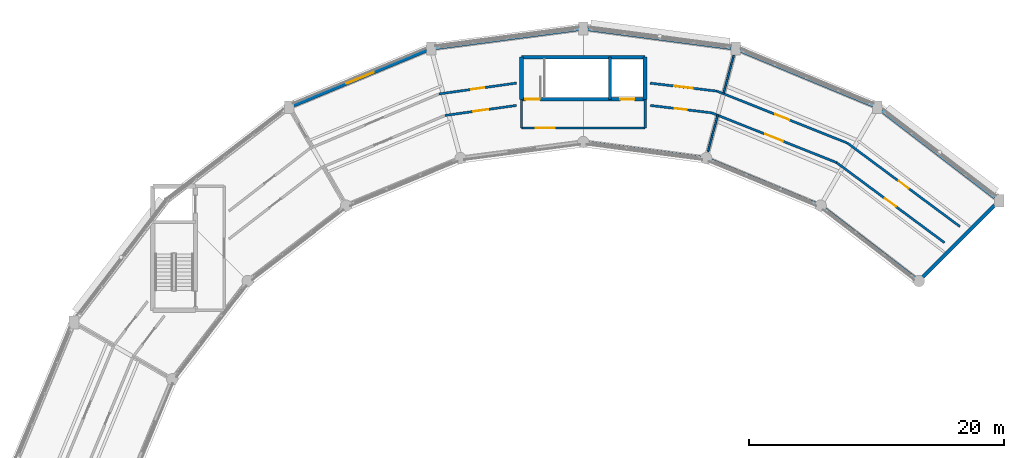
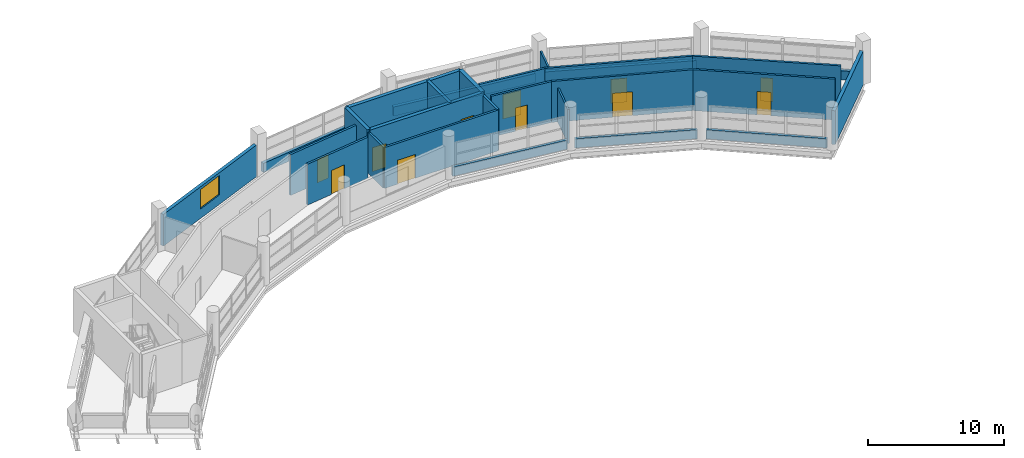
# One storey, part 47 of 53: 27 walls, 11 doors, 1 window, 12 openings.
"""IFC4 building model written with IfcOpenShell, lengths in metres."""

from ifc_helpers import new_model, si_unit, direction, frame, frame_2d, origin, place, context, subcontext, project, spatial, rectangle, extrude, material, layer, layer_set, type_object, element, fill, save


model = new_model("IFC4")

# Units and contexts
model_context = context("Model", 3, precision=1e-05, world=origin(), true_north=direction((0.0, 1.0)))
body_context = subcontext(model_context, "Body", "Model", "MODEL_VIEW")
ifc_project = project(units=[si_unit("LENGTHUNIT", "METRE"), si_unit("AREAUNIT", "SQUARE_METRE"), si_unit("VOLUMEUNIT", "CUBIC_METRE"), si_unit("PLANEANGLEUNIT", "RADIAN"), si_unit("MASSUNIT", "GRAM", prefix="KILO")], contexts=[model_context])

# Site, building, storey
site_placement = place(None, origin())
site = spatial("IfcSite", under=ifc_project, at=site_placement, CompositionType="ELEMENT")
building_placement = place(site_placement, origin())
building = spatial("IfcBuilding", under=site, at=building_placement, Name="Vespera Passage Community Centre", CompositionType="ELEMENT")
storey_placement = place(building_placement, frame((0.0, 0.0, 20.39990234375)))
storey = spatial("IfcBuildingStorey", under=building, at=storey_placement, Name="L05", CompositionType="ELEMENT", Elevation=20.39990234375)

# Wall, openings, doors
ifc_material_1 = material(Name="Concrete f'c 45 MPa", Category="concrete")
ifc_layer_1 = layer(ifc_material_1, 0.300048828125)
ifc_layer_set_1 = layer_set([ifc_layer_1], Name="Concrete f'c 45 MPa")
wall_type_1 = type_object("IfcWallType", Name="WT-CORE-300I", PredefinedType="SHEAR", material=ifc_layer_set_1)
wall_1_placement = place(storey_placement, frame((82.844970703125, 106.050048828125, 0.0), z_axis=(0.0, 0.0, 1.0), x_axis=(-1.0, 0.0, 0.0)))
wall_1 = element("IfcWall", 1, at=wall_1_placement, inside=storey, type_object=wall_type_1, Name="Core C4 L05 Shear Wall FRONT", PredefinedType="SHEAR", context=body_context, shape_type="SweptSolid", body=[
    extrude(rectangle(XDim=9.68994140625, YDim=0.300048828125, at=frame_2d((4.844970703125, 0.0))), origin(), (0.0, 0.0, 1.0), 3.900146484375),
])
opening_1_placement = place(wall_1_placement, frame((8.2451171875, 0.0, 0.0)))
opening_1 = element("IfcOpeningElement", 2, at=opening_1_placement, cuts=wall_1, Name="Opening DT-STAIR-90", PredefinedType="OPENING", context=body_context, shape_type="SweptSolid", body=[
    extrude(rectangle(XDim=1.14990234375, YDim=2.14990234375, at=frame_2d((0.574951171875, 1.074951171875))), frame((0.0, 0.159912109375, 0.0), z_axis=(0.0, -1.0, 0.0), x_axis=(1.0, 0.0, 0.0)), (0.0, 0.0, 1.0), 0.320068359375),
])
opening_2_placement = place(wall_1_placement, frame((0.85009765625, 0.0, 0.0)))
opening_2 = element("IfcOpeningElement", 3, at=opening_2_placement, cuts=wall_1, Name="Opening DT-LIFT-110", PredefinedType="OPENING", context=body_context, shape_type="SweptSolid", body=[
    extrude(rectangle(XDim=1.10009765625, YDim=2.14990234375, at=frame_2d((0.550048828125, 1.074951171875))), frame((0.0, 0.159912109375, 0.0), z_axis=(0.0, -1.0, 0.0), x_axis=(1.0, 0.0, 0.0)), (0.0, 0.0, 1.0), 0.320068359375),
])
ifc_material_2 = material(Name="Painted hollow-metal acoustic door", Category="steel")
door_type_1 = type_object("IfcDoorType", Name="DT-LIFT-110", OperationType="NOTDEFINED", PredefinedType="DOOR", material=ifc_material_2)
door_1_placement = place(opening_2_placement, origin())
door_1 = element("IfcDoor", 4, at=door_1_placement, inside=storey, type_object=door_type_1, Name="Elevator EL-02 L05 Landing Door LD-022", OperationType="SLIDING_TO_LEFT", OverallHeight=2.14990234375, OverallWidth=1.10009765625, PredefinedType="DOOR", context=body_context, shape_type="SweptSolid", body=[
    extrude(rectangle(XDim=1.10009765625, YDim=2.14990234375, at=frame_2d((0.550048828125, 1.074951171875))), frame((0.0, 0.02490234375, 0.0), z_axis=(0.0, -1.0, 0.0), x_axis=(1.0, 0.0, 0.0)), (0.0, 0.0, 1.0), 0.050048828125),
])
fill(opening_2, door_1)
ifc_material_3 = material(Name="Painted hollow-metal acoustic door", Category="steel")
door_type_2 = type_object("IfcDoorType", Name="DT-STAIR-90", OperationType="NOTDEFINED", PredefinedType="DOOR", material=ifc_material_3)
door_2_placement = place(opening_1_placement, origin())
door_2 = element("IfcDoor", 5, at=door_2_placement, inside=storey, type_object=door_type_2, Name="Core C4 L05 Exit Stair Door D-098", OperationType="SINGLE_SWING_RIGHT", OverallHeight=2.14990234375, OverallWidth=1.14990234375, PredefinedType="DOOR", context=body_context, shape_type="SweptSolid", body=[
    extrude(rectangle(XDim=1.14990234375, YDim=2.14990234375, at=frame_2d((0.574951171875, 1.074951171875))), frame((0.0, 0.02490234375, 0.0), z_axis=(0.0, -1.0, 0.0), x_axis=(1.0, 0.0, 0.0)), (0.0, 0.0, 1.0), 0.050048828125),
])
fill(opening_1, door_2)

# Walls
wall_2_placement = place(storey_placement, frame((73.155029296875, 106.050048828125, 0.0), z_axis=(0.0, 0.0, 1.0), x_axis=(0.0, 1.0, 0.0)))
element("IfcWall", 6, at=wall_2_placement, inside=storey, type_object=wall_type_1, Name="Core C4 L05 Shear Wall LEFT", PredefinedType="SHEAR", context=body_context, shape_type="SweptSolid", body=[
    extrude(rectangle(XDim=3.300048828125, YDim=0.300048828125, at=frame_2d((1.64990234375, 0.0))), origin(), (0.0, 0.0, 1.0), 3.900146484375),
])
wall_3_placement = place(storey_placement, frame((73.155029296875, 109.35009765625, 0.0), z_axis=(0.0, 0.0, 1.0), x_axis=(1.0, 0.0, 0.0)))
element("IfcWall", 7, at=wall_3_placement, inside=storey, type_object=wall_type_1, Name="Core C4 L05 Shear Wall BACK", PredefinedType="SHEAR", context=body_context, shape_type="SweptSolid", body=[
    extrude(rectangle(XDim=9.68994140625, YDim=0.300048828125, at=frame_2d((4.844970703125, 0.0))), origin(), (0.0, 0.0, 1.0), 3.900146484375),
])
wall_4_placement = place(storey_placement, frame((82.844970703125, 109.35009765625, 0.0), z_axis=(0.0, 0.0, 1.0), x_axis=(0.0, -1.0, 0.0)))
element("IfcWall", 8, at=wall_4_placement, inside=storey, type_object=wall_type_1, Name="Core C4 L05 Shear Wall RIGHT", PredefinedType="SHEAR", context=body_context, shape_type="SweptSolid", body=[
    extrude(rectangle(XDim=3.300048828125, YDim=0.300048828125, at=frame_2d((1.64990234375, 0.0))), origin(), (0.0, 0.0, 1.0), 3.900146484375),
])

# Wall, opening, door
ifc_material_4 = material(Name="Gypsum board acoustic stud partition")
ifc_layer_2 = layer(ifc_material_4, 0.179931640625)
ifc_layer_set_2 = layer_set([ifc_layer_2], Name="Gypsum board acoustic stud partition")
wall_type_2 = type_object("IfcWallType", Name="WT-CORR-180I", PredefinedType="PARTITIONING", material=ifc_layer_set_2)
wall_5_placement = place(storey_placement, frame((73.155029296875, 103.800048828125, 0.0), z_axis=(0.0, 0.0, 1.0), x_axis=(1.0, 0.0, 0.0)))
wall_5 = element("IfcWall", 9, at=wall_5_placement, inside=storey, type_object=wall_type_2, Name="Core C4 L05 Lift Lobby Front Wall", PredefinedType="PARTITIONING", context=body_context, shape_type="SweptSolid", body=[
    extrude(rectangle(XDim=9.68994140625, YDim=0.179931640625, at=frame_2d((4.844970703125, 0.0))), origin(), (0.0, 0.0, 1.0), 3.675048828125),
])
opening_3_placement = place(wall_5_placement, frame((1.10009765625, 0.0, 0.0)))
opening_3 = element("IfcOpeningElement", 10, at=opening_3_placement, cuts=wall_5, Name="Opening DT-CORR-150", PredefinedType="OPENING", context=body_context, shape_type="SweptSolid", body=[
    extrude(rectangle(XDim=1.5, YDim=2.14990234375, at=frame_2d((0.75, 1.074951171875))), frame((0.0, 0.099853515625, 0.0), z_axis=(0.0, -1.0, 0.0), x_axis=(1.0, 0.0, 0.0)), (0.0, 0.0, 1.0), 0.199951171875),
])
ifc_material_5 = material(Name="Painted hollow-metal acoustic door", Category="steel")
door_type_3 = type_object("IfcDoorType", Name="DT-CORR-150", OperationType="NOTDEFINED", PredefinedType="DOOR", material=ifc_material_5)
door_3_placement = place(opening_3_placement, origin())
door_3 = element("IfcDoor", 11, at=door_3_placement, inside=storey, type_object=door_type_3, Name="Core C4 L05 Lift Lobby Door D-099", OperationType="SINGLE_SWING_LEFT", OverallHeight=2.14990234375, OverallWidth=1.5, PredefinedType="DOOR", context=body_context, shape_type="SweptSolid", body=[
    extrude(rectangle(XDim=1.5, YDim=2.14990234375, at=frame_2d((0.75, 1.074951171875))), frame((0.0, 0.02490234375, 0.0), z_axis=(0.0, -1.0, 0.0), x_axis=(1.0, 0.0, 0.0)), (0.0, 0.0, 1.0), 0.050048828125),
])
fill(opening_3, door_3)

# Walls
for number, where, z_axis, x_axis, name in (
    (12, (73.155029296875, 106.050048828125, 0.0), (0.0, 0.0, 1.0), (0.0, -1.0, 0.0), "Core C4 L05 Lift Lobby Side Wall L"),
    (13, (82.844970703125, 106.050048828125, 0.0), (0.0, 0.0, 1.0), (0.0, -1.0, 0.0), "Core C4 L05 Lift Lobby Side Wall R"),
):
    element("IfcWall", number, at=place(storey_placement, frame(where, z_axis=z_axis, x_axis=x_axis)), inside=storey, type_object=wall_type_2, Name=name, PredefinedType="PARTITIONING", context=body_context, shape_type="SweptSolid", body=[
        extrude(rectangle(XDim=2.25, YDim=0.179931640625, at=frame_2d((1.125, 0.0))), origin(), (0.0, 0.0, 1.0), 3.675048828125),
    ])

# Wall, opening, door
wall_6_placement = place(storey_placement, frame((107.52294921875, 96.072021484375, 0.0), z_axis=(0.0, 0.0, 1.0), x_axis=(-0.803116202906, 0.595822427096, 0.0)))
wall_6 = element("IfcWall", 14, at=wall_6_placement, inside=storey, type_object=wall_type_2, Name="L05 Interior Partition V4-L05-CO01.1", PredefinedType="PARTITIONING", context=body_context, shape_type="SweptSolid", body=[
    extrude(rectangle(XDim=10.989501953125, YDim=0.179931640625, at=frame_2d((5.49462890625, 0.0))), origin(), (0.0, 0.0, 1.0), 3.675048828125),
])
opening_4_placement = place(wall_6_placement, frame((5.019775390625, 0.0, 0.0)))
opening_4 = element("IfcOpeningElement", 15, at=opening_4_placement, cuts=wall_6, Name="Opening DT-CORR-95", PredefinedType="OPENING", context=body_context, shape_type="SweptSolid", body=[
    extrude(rectangle(XDim=0.949951171875, YDim=2.10009765625, at=frame_2d((0.47509765625, 1.050048828125))), frame((0.0, 0.099853515625, 0.0), z_axis=(0.0, -1.0, 0.0), x_axis=(1.0, 0.0, 0.0)), (0.0, 0.0, 1.0), 0.199951171875),
])
ifc_material_6 = material(Name="Painted hollow-metal acoustic door", Category="steel")
door_type_4 = type_object("IfcDoorType", Name="DT-CORR-95", OperationType="NOTDEFINED", PredefinedType="DOOR", material=ifc_material_6)
door_4_placement = place(opening_4_placement, origin())
door_4 = element("IfcDoor", 16, at=door_4_placement, inside=storey, type_object=door_type_4, Name="L05 Interior Door D-297", OperationType="SINGLE_SWING_LEFT", OverallHeight=2.10009765625, OverallWidth=0.949951171875, PredefinedType="DOOR", context=body_context, shape_type="SweptSolid", body=[
    extrude(rectangle(XDim=0.949951171875, YDim=2.10009765625, at=frame_2d((0.47509765625, 1.050048828125))), frame((0.0, 0.02490234375, 0.0), z_axis=(0.0, -1.0, 0.0), x_axis=(1.0, 0.0, 0.0)), (0.0, 0.0, 1.0), 0.050048828125),
])
fill(opening_4, door_4)

wall_7_placement = place(storey_placement, frame((106.307373046875, 94.81298828125, 0.0), z_axis=(0.0, 0.0, 1.0), x_axis=(-0.803116983103, 0.595821375457, 0.0)))
wall_7 = element("IfcWall", 17, at=wall_7_placement, inside=storey, type_object=wall_type_2, Name="L05 Interior Partition V4-L05-CI01.1", PredefinedType="PARTITIONING", context=body_context, shape_type="SweptSolid", body=[
    extrude(rectangle(XDim=10.537353515625, YDim=0.179931640625, at=frame_2d((5.2685546875, 0.0))), origin(), (0.0, 0.0, 1.0), 3.675048828125),
])
opening_5_placement = place(wall_7_placement, frame((4.74365234375, 0.0, 0.0)))
opening_5 = element("IfcOpeningElement", 18, at=opening_5_placement, cuts=wall_7, Name="Opening DT-CORR-105", PredefinedType="OPENING", context=body_context, shape_type="SweptSolid", body=[
    extrude(rectangle(XDim=1.050048828125, YDim=2.10009765625, at=frame_2d((0.52490234375, 1.050048828125))), frame((0.0, 0.099853515625, 0.0), z_axis=(0.0, -1.0, 0.0), x_axis=(1.0, 0.0, 0.0)), (0.0, 0.0, 1.0), 0.199951171875),
])
ifc_material_7 = material(Name="Painted hollow-metal acoustic door", Category="steel")
door_type_5 = type_object("IfcDoorType", Name="DT-CORR-105", OperationType="NOTDEFINED", PredefinedType="DOOR", material=ifc_material_7)
door_5_placement = place(opening_5_placement, origin())
door_5 = element("IfcDoor", 19, at=door_5_placement, inside=storey, type_object=door_type_5, Name="L05 Interior Door D-298", OperationType="SINGLE_SWING_RIGHT", OverallHeight=2.10009765625, OverallWidth=1.050048828125, PredefinedType="DOOR", context=body_context, shape_type="SweptSolid", body=[
    extrude(rectangle(XDim=1.050048828125, YDim=2.10009765625, at=frame_2d((0.52490234375, 1.050048828125))), frame((0.0, 0.02490234375, 0.0), z_axis=(0.0, -1.0, 0.0), x_axis=(1.0, 0.0, 0.0)), (0.0, 0.0, 1.0), 0.050048828125),
])
fill(opening_5, door_5)

wall_8_placement = place(storey_placement, frame((98.697021484375, 102.619873046875, 0.0), z_axis=(0.0, 0.0, 1.0), x_axis=(-0.929039440746, 0.369980698873, 0.0)))
wall_8 = element("IfcWall", 20, at=wall_8_placement, inside=storey, type_object=wall_type_2, Name="L05 Interior Partition V4-L05-CO02.1", PredefinedType="PARTITIONING", context=body_context, shape_type="SweptSolid", body=[
    extrude(rectangle(XDim=10.989501953125, YDim=0.179931640625, at=frame_2d((5.49462890625, 0.0))), origin(), (0.0, 0.0, 1.0), 3.675048828125),
])
opening_6_placement = place(wall_8_placement, frame((4.894775390625, 0.0, 0.0)))
opening_6 = element("IfcOpeningElement", 21, at=opening_6_placement, cuts=wall_8, Name="Opening DT-CORR-120", PredefinedType="OPENING", context=body_context, shape_type="SweptSolid", body=[
    extrude(rectangle(XDim=1.199951171875, YDim=2.14990234375, at=frame_2d((0.60009765625, 1.074951171875))), frame((0.0, 0.099853515625, 0.0), z_axis=(0.0, -1.0, 0.0), x_axis=(1.0, 0.0, 0.0)), (0.0, 0.0, 1.0), 0.199951171875),
])
ifc_material_8 = material(Name="Painted hollow-metal acoustic door", Category="steel")
door_type_6 = type_object("IfcDoorType", Name="DT-CORR-120", OperationType="NOTDEFINED", PredefinedType="DOOR", material=ifc_material_8)
door_6_placement = place(opening_6_placement, origin())
door_6 = element("IfcDoor", 22, at=door_6_placement, inside=storey, type_object=door_type_6, Name="L05 Interior Door D-299", OperationType="SINGLE_SWING_LEFT", OverallHeight=2.14990234375, OverallWidth=1.199951171875, PredefinedType="DOOR", context=body_context, shape_type="SweptSolid", body=[
    extrude(rectangle(XDim=1.199951171875, YDim=2.14990234375, at=frame_2d((0.60009765625, 1.074951171875))), frame((0.0, 0.02490234375, 0.0), z_axis=(0.0, -1.0, 0.0), x_axis=(1.0, 0.0, 0.0)), (0.0, 0.0, 1.0), 0.050048828125),
])
fill(opening_6, door_6)

wall_9_placement = place(storey_placement, frame((97.8447265625, 101.09130859375, 0.0), z_axis=(0.0, 0.0, 1.0), x_axis=(-0.929033313581, 0.36999608411, 0.0)))
wall_9 = element("IfcWall", 23, at=wall_9_placement, inside=storey, type_object=wall_type_2, Name="L05 Interior Partition V4-L05-CI02.1", PredefinedType="PARTITIONING", context=body_context, shape_type="SweptSolid", body=[
    extrude(rectangle(XDim=10.537109375, YDim=0.179931640625, at=frame_2d((5.2685546875, 0.0))), origin(), (0.0, 0.0, 1.0), 3.675048828125),
])
opening_7_placement = place(wall_9_placement, frame((4.5185546875, 0.0, 0.0)))
opening_7 = element("IfcOpeningElement", 24, at=opening_7_placement, cuts=wall_9, Name="Opening DT-CORR-150", PredefinedType="OPENING", context=body_context, shape_type="SweptSolid", body=[
    extrude(rectangle(XDim=1.5, YDim=2.14990234375, at=frame_2d((0.75, 1.074951171875))), frame((0.0, 0.099853515625, 0.0), z_axis=(0.0, -1.0, 0.0), x_axis=(1.0, 0.0, 0.0)), (0.0, 0.0, 1.0), 0.199951171875),
])
door_7_placement = place(opening_7_placement, origin())
door_7 = element("IfcDoor", 25, at=door_7_placement, inside=storey, type_object=door_type_3, Name="L05 Interior Door D-300", OperationType="SINGLE_SWING_RIGHT", OverallHeight=2.14990234375, OverallWidth=1.5, PredefinedType="DOOR", context=body_context, shape_type="SweptSolid", body=[
    extrude(rectangle(XDim=1.5, YDim=2.14990234375, at=frame_2d((0.75, 1.074951171875))), frame((0.0, 0.02490234375, 0.0), z_axis=(0.0, -1.0, 0.0), x_axis=(1.0, 0.0, 0.0)), (0.0, 0.0, 1.0), 0.050048828125),
])
fill(opening_7, door_7)

wall_10_placement = place(storey_placement, frame((88.4873046875, 106.685791015625, 0.0), z_axis=(0.0, 0.0, 1.0), x_axis=(-0.992847489582, 0.119389540709, 0.0)))
wall_10 = element("IfcWall", 26, at=wall_10_placement, inside=storey, type_object=wall_type_2, Name="L05 Interior Partition V4-L05-CO03.1", PredefinedType="PARTITIONING", context=body_context, shape_type="SweptSolid", body=[
    extrude(rectangle(XDim=5.280029296875, YDim=0.179931640625, at=frame_2d((2.64013671875, 0.0))), origin(), (0.0, 0.0, 1.0), 3.675048828125),
])
opening_8_placement = place(wall_10_placement, frame((1.9150390625, 0.0, 0.0)))
opening_8 = element("IfcOpeningElement", 27, at=opening_8_placement, cuts=wall_10, Name="Opening DT-PLANT-145", PredefinedType="OPENING", context=body_context, shape_type="SweptSolid", body=[
    extrude(rectangle(XDim=1.449951171875, YDim=2.199951171875, at=frame_2d((0.72509765625, 1.10009765625))), frame((0.0, 0.099853515625, 0.0), z_axis=(0.0, -1.0, 0.0), x_axis=(1.0, 0.0, 0.0)), (0.0, 0.0, 1.0), 0.199951171875),
])
ifc_material_9 = material(Name="Painted hollow-metal acoustic door", Category="steel")
door_type_7 = type_object("IfcDoorType", Name="DT-PLANT-145", OperationType="NOTDEFINED", PredefinedType="DOOR", material=ifc_material_9)
door_8_placement = place(opening_8_placement, origin())
door_8 = element("IfcDoor", 28, at=door_8_placement, inside=storey, type_object=door_type_7, Name="L05 Interior Door D-301", OperationType="SINGLE_SWING_LEFT", OverallHeight=2.199951171875, OverallWidth=1.449951171875, PredefinedType="DOOR", context=body_context, shape_type="SweptSolid", body=[
    extrude(rectangle(XDim=1.449951171875, YDim=2.199951171875, at=frame_2d((0.72509765625, 1.10009765625))), frame((0.0, 0.02490234375, 0.0), z_axis=(0.0, -1.0, 0.0), x_axis=(1.0, 0.0, 0.0)), (0.0, 0.0, 1.0), 0.050048828125),
])
fill(opening_8, door_8)

wall_11_placement = place(storey_placement, frame((88.055419921875, 104.989990234375, 0.0), z_axis=(0.0, 0.0, 1.0), x_axis=(-0.992849152451, 0.119375711422, 0.0)))
wall_11 = element("IfcWall", 29, at=wall_11_placement, inside=storey, type_object=wall_type_2, Name="L05 Interior Partition V4-L05-CI03.1", PredefinedType="PARTITIONING", context=body_context, shape_type="SweptSolid", body=[
    extrude(rectangle(XDim=4.844970703125, YDim=0.179931640625, at=frame_2d((2.42236328125, 0.0))), origin(), (0.0, 0.0, 1.0), 3.675048828125),
])
opening_9_placement = place(wall_11_placement, frame((1.947509765625, 0.0, 0.0)))
opening_9 = element("IfcOpeningElement", 30, at=opening_9_placement, cuts=wall_11, Name="Opening DT-CORR-95", PredefinedType="OPENING", context=body_context, shape_type="SweptSolid", body=[
    extrude(rectangle(XDim=0.949951171875, YDim=2.10009765625, at=frame_2d((0.47509765625, 1.050048828125))), frame((0.0, 0.099853515625, 0.0), z_axis=(0.0, -1.0, 0.0), x_axis=(1.0, 0.0, 0.0)), (0.0, 0.0, 1.0), 0.199951171875),
])
door_9_placement = place(opening_9_placement, origin())
door_9 = element("IfcDoor", 31, at=door_9_placement, inside=storey, type_object=door_type_4, Name="L05 Interior Door D-302", OperationType="SINGLE_SWING_RIGHT", OverallHeight=2.10009765625, OverallWidth=0.949951171875, PredefinedType="DOOR", context=body_context, shape_type="SweptSolid", body=[
    extrude(rectangle(XDim=0.949951171875, YDim=2.10009765625, at=frame_2d((0.47509765625, 1.050048828125))), frame((0.0, 0.02490234375, 0.0), z_axis=(0.0, -1.0, 0.0), x_axis=(1.0, 0.0, 0.0)), (0.0, 0.0, 1.0), 0.050048828125),
])
fill(opening_9, door_9)

wall_12_placement = place(storey_placement, frame((72.7548828125, 107.3203125, 0.0), z_axis=(0.0, 0.0, 1.0), x_axis=(-0.990269980721, -0.139159495841, 0.0)))
wall_12 = element("IfcWall", 32, at=wall_12_placement, inside=storey, type_object=wall_type_2, Name="L05 Interior Partition V4-L05-CO04.1", PredefinedType="PARTITIONING", context=body_context, shape_type="SweptSolid", body=[
    extrude(rectangle(XDim=6.12109375, YDim=0.179931640625, at=frame_2d((3.060546875, 0.0))), origin(), (0.0, 0.0, 1.0), 3.675048828125),
])
opening_10_placement = place(wall_12_placement, frame((2.53564453125, 0.0, 0.0)))
opening_10 = element("IfcOpeningElement", 33, at=opening_10_placement, cuts=wall_12, Name="Opening DT-CORR-105", PredefinedType="OPENING", context=body_context, shape_type="SweptSolid", body=[
    extrude(rectangle(XDim=1.050048828125, YDim=2.10009765625, at=frame_2d((0.52490234375, 1.050048828125))), frame((0.0, 0.099853515625, 0.0), z_axis=(0.0, -1.0, 0.0), x_axis=(1.0, 0.0, 0.0)), (0.0, 0.0, 1.0), 0.199951171875),
])
door_10_placement = place(opening_10_placement, origin())
door_10 = element("IfcDoor", 34, at=door_10_placement, inside=storey, type_object=door_type_5, Name="L05 Interior Door D-303", OperationType="SINGLE_SWING_LEFT", OverallHeight=2.10009765625, OverallWidth=1.050048828125, PredefinedType="DOOR", context=body_context, shape_type="SweptSolid", body=[
    extrude(rectangle(XDim=1.050048828125, YDim=2.10009765625, at=frame_2d((0.52490234375, 1.050048828125))), frame((0.0, 0.02490234375, 0.0), z_axis=(0.0, -1.0, 0.0), x_axis=(1.0, 0.0, 0.0)), (0.0, 0.0, 1.0), 0.050048828125),
])
fill(opening_10, door_10)

wall_13_placement = place(storey_placement, frame((72.7548828125, 105.568115234375, 0.0), z_axis=(0.0, 0.0, 1.0), x_axis=(-0.990264117546, -0.139201212283, 0.0)))
wall_13 = element("IfcWall", 35, at=wall_13_placement, inside=storey, type_object=wall_type_2, Name="L05 Interior Partition V4-L05-CI04.1", PredefinedType="PARTITIONING", context=body_context, shape_type="SweptSolid", body=[
    extrude(rectangle(XDim=5.65087890625, YDim=0.179931640625, at=frame_2d((2.825439453125, 0.0))), origin(), (0.0, 0.0, 1.0), 3.675048828125),
])
opening_11_placement = place(wall_13_placement, frame((2.2255859375, 0.0, 0.0)))
opening_11 = element("IfcOpeningElement", 36, at=opening_11_placement, cuts=wall_13, Name="Opening DT-CORR-120", PredefinedType="OPENING", context=body_context, shape_type="SweptSolid", body=[
    extrude(rectangle(XDim=1.199951171875, YDim=2.14990234375, at=frame_2d((0.60009765625, 1.074951171875))), frame((0.0, 0.099853515625, 0.0), z_axis=(0.0, -1.0, 0.0), x_axis=(1.0, 0.0, 0.0)), (0.0, 0.0, 1.0), 0.199951171875),
])
door_11_placement = place(opening_11_placement, origin())
door_11 = element("IfcDoor", 37, at=door_11_placement, inside=storey, type_object=door_type_6, Name="L05 Interior Door D-304", OperationType="SINGLE_SWING_RIGHT", OverallHeight=2.14990234375, OverallWidth=1.199951171875, PredefinedType="DOOR", context=body_context, shape_type="SweptSolid", body=[
    extrude(rectangle(XDim=1.199951171875, YDim=2.14990234375, at=frame_2d((0.60009765625, 1.074951171875))), frame((0.0, 0.02490234375, 0.0), z_axis=(0.0, -1.0, 0.0), x_axis=(1.0, 0.0, 0.0)), (0.0, 0.0, 1.0), 0.050048828125),
])
fill(opening_11, door_11)

# Walls
ifc_material_10 = material(Name="Concrete f'c 45 MPa", Category="concrete")
ifc_layer_3 = layer(ifc_material_10, 0.239990234375)
ifc_layer_set_3 = layer_set([ifc_layer_3], Name="Concrete f'c 45 MPa")
wall_type_3 = type_object("IfcWallType", Name="WT-DIV-240I", PredefinedType="SHEAR", material=ifc_layer_set_3)
wall_14_placement = place(storey_placement, frame((80.074951171875, 106.050048828125, 0.0), z_axis=(0.0, 0.0, 1.0), x_axis=(0.0, 1.0, 0.0)))
element("IfcWall", 38, at=wall_14_placement, inside=storey, type_object=wall_type_3, Name="Core C4 L05 Hoistway Divider Wall", PredefinedType="SHEAR", context=body_context, shape_type="SweptSolid", body=[
    extrude(rectangle(XDim=3.300048828125, YDim=0.239990234375, at=frame_2d((1.64990234375, 0.0))), origin(), (0.0, 0.0, 1.0), 3.900146484375),
])
ifc_material_11 = material(Name="Precast concrete f'c 40 MPa", Category="concrete")
ifc_layer_4 = layer(ifc_material_11, 0.25)
ifc_layer_set_4 = layer_set([ifc_layer_4], Name="Precast concrete f'c 40 MPa")
wall_type_4 = type_object("IfcWallType", Name="WT-EXT-250E", PredefinedType="STANDARD", material=ifc_layer_set_4)
wall_15_placement = place(storey_placement, frame((104.024169921875, 92.019287109375, 0.0), z_axis=(0.0, 0.0, 1.0), x_axis=(-0.793347085527, 0.608769580289, 0.0)))
element("IfcWall", 39, at=wall_15_placement, inside=storey, type_object=wall_type_4, Name="V4 L05 Court Spandrel Wall I3", PredefinedType="STANDARD", context=body_context, shape_type="SweptSolid", body=[
    extrude(rectangle(XDim=9.0048828125, YDim=0.25, at=frame_2d((4.50244140625, 0.0))), origin(), (0.0, 0.0, 1.0), 0.820068359375),
])
wall_16_placement = place(storey_placement, frame((96.322998046875, 97.830810546875, 0.0), z_axis=(0.0, 0.0, 1.0), x_axis=(-0.923880324771, 0.382681519675, 0.0)))
element("IfcWall", 40, at=wall_16_placement, inside=storey, type_object=wall_type_4, Name="V4 L05 Court Spandrel Wall I4", PredefinedType="STANDARD", context=body_context, shape_type="SweptSolid", body=[
    extrude(rectangle(XDim=9.111572265625, YDim=0.25, at=frame_2d((4.5556640625, 0.0))), origin(), (0.0, 0.0, 1.0), 0.820068359375),
])
wall_17_placement = place(storey_placement, frame((87.352783203125, 101.468505859375, 0.0), z_axis=(0.0, 0.0, 1.0), x_axis=(-0.991441766434, 0.130549698469, 0.0)))
element("IfcWall", 41, at=wall_17_placement, inside=storey, type_object=wall_type_4, Name="V4 L05 Court Spandrel Wall I5", PredefinedType="STANDARD", context=body_context, shape_type="SweptSolid", body=[
    extrude(rectangle(XDim=9.156005859375, YDim=0.25, at=frame_2d((4.578125, 0.0))), origin(), (0.0, 0.0, 1.0), 0.820068359375),
])
ifc_material_12 = material(Name="Precast concrete f'c 40 MPa", Category="concrete")
ifc_layer_5 = layer(ifc_material_12, 0.280029296875)
ifc_layer_set_5 = layer_set([ifc_layer_5], Name="Precast concrete f'c 40 MPa")
wall_type_5 = type_object("IfcWallType", Name="WT-EXT-280E", PredefinedType="STANDARD", material=ifc_layer_set_5)
wall_18_placement = place(storey_placement, frame((101.4052734375, 105.1513671875, 0.0), z_axis=(0.0, 0.0, 1.0), x_axis=(0.793342066679, -0.608776120785, 0.0)))
element("IfcWall", 42, at=wall_18_placement, inside=storey, type_object=wall_type_5, Name="V4 L05 Spandrel Wall O3", PredefinedType="STANDARD", context=body_context, shape_type="SweptSolid", body=[
    extrude(rectangle(XDim=11.13916015625, YDim=0.280029296875, at=frame_2d((5.569580078125, 0.0))), origin(), (0.0, 0.0, 1.0), 0.820068359375),
])
wall_19_placement = place(storey_placement, frame((90.283447265625, 109.88330078125, 0.0), z_axis=(0.0, 0.0, 1.0), x_axis=(0.923883530636, -0.382673779896, 0.0)))
element("IfcWall", 43, at=wall_19_placement, inside=storey, type_object=wall_type_5, Name="V4 L05 Spandrel Wall O4", PredefinedType="STANDARD", context=body_context, shape_type="SweptSolid", body=[
    extrude(rectangle(XDim=11.2724609375, YDim=0.280029296875, at=frame_2d((5.63623046875, 0.0))), origin(), (0.0, 0.0, 1.0), 0.820068359375),
])
for number, where, z_axis, x_axis, name in (
    (44, (78.35009765625, 111.553955078125, 0.0), (0.0, 0.0, 1.0), (0.991443215359, -0.130538694334, 0.0), "V4 L05 Spandrel Wall O5"),
    (45, (66.418701171875, 110.0751953125, 0.0), (0.0, 0.0, 1.0), (0.991443215359, 0.130538694334, 0.0), "V4 L05 Spandrel Wall O6"),
):
    element("IfcWall", number, at=place(storey_placement, frame(where, z_axis=z_axis, x_axis=x_axis)), inside=storey, type_object=wall_type_5, Name=name, PredefinedType="STANDARD", context=body_context, shape_type="SweptSolid", body=[
        extrude(rectangle(XDim=11.328125, YDim=0.280029296875, at=frame_2d((5.6640625, 0.0))), origin(), (0.0, 0.0, 1.0), 0.820068359375),
    ])

# Wall, opening, window
wall_20_placement = place(storey_placement, frame((55.302001953125, 105.569580078125, 0.0), z_axis=(0.0, 0.0, 1.0), x_axis=(0.923883530636, 0.382673779896, 0.0)))
wall_20 = element("IfcWall", 46, at=wall_20_placement, inside=storey, type_object=wall_type_5, Name="V4 L05 Outer Precast Wall 7", PredefinedType="STANDARD", context=body_context, shape_type="SweptSolid", body=[
    extrude(rectangle(XDim=11.2724609375, YDim=0.280029296875, at=frame_2d((5.63623046875, 0.0))), origin(), (0.0, 0.0, 1.0), 2.845703125),
])
opening_12_placement = place(wall_20_placement, frame((4.486328125, 0.0, 0.85009765625)))
opening_12 = element("IfcOpeningElement", 47, at=opening_12_placement, cuts=wall_20, Name="Opening WN-23E", PredefinedType="OPENING", context=body_context, shape_type="SweptSolid", body=[
    extrude(rectangle(XDim=2.300048828125, YDim=1.75, at=frame_2d((1.14990234375, 0.875))), frame((0.0, 0.150146484375, 0.0), z_axis=(0.0, -1.0, 0.0), x_axis=(1.0, 0.0, 0.0)), (0.0, 0.0, 1.0), 0.300048828125),
])
ifc_material_13 = material(Name="Low-E insulated vision glass", Category="glass")
window_type = type_object("IfcWindowType", Name="WN-23E", PartitioningType="SINGLE_PANEL", PredefinedType="WINDOW", material=ifc_material_13)
window_placement = place(opening_12_placement, origin())
window = element("IfcWindow", 48, at=window_placement, inside=storey, type_object=window_type, Name="Window WN-V4-L05-O07", OverallHeight=1.75, OverallWidth=2.300048828125, PartitioningType="SINGLE_PANEL", PredefinedType="WINDOW", context=body_context, shape_type="SweptSolid", body=[
    extrude(rectangle(XDim=2.300048828125, YDim=1.75, at=frame_2d((1.14990234375, 0.875))), frame((0.0, 0.030029296875, 0.0), z_axis=(0.0, -1.0, 0.0), x_axis=(1.0, 0.0, 0.0)), (0.0, 0.0, 1.0), 0.06005859375),
])
fill(opening_12, window)

# Walls
wall_21_placement = place(storey_placement, frame((110.240234375, 97.740234375, 0.0), z_axis=(0.0, 0.0, 1.0), x_axis=(-0.707106781187, -0.707106781187, 0.0)))
element("IfcWall", 49, at=wall_21_placement, inside=storey, type_object=wall_type_5, Name="V4 L05 Radial End Facade Wall START", PredefinedType="STANDARD", context=body_context, shape_type="SweptSolid", body=[
    extrude(rectangle(XDim=7.995361328125, YDim=0.280029296875, at=frame_2d((3.99755859375, 0.0))), origin(), (0.0, 0.0, 1.0), 3.03662109375),
])
ifc_material_14 = material(Name="Gypsum board acoustic stud partition")
ifc_layer_6 = layer(ifc_material_14, 0.139892578125)
ifc_layer_set_6 = layer_set([ifc_layer_6], Name="Gypsum board acoustic stud partition")
wall_type_6 = type_object("IfcWallType", Name="WT-ROOM-140I", PredefinedType="PARTITIONING", material=ifc_layer_set_6)
wall_22_placement = place(storey_placement, frame((88.999755859375, 106.5517578125, 0.0), z_axis=(0.0, 0.0, 1.0), x_axis=(0.258868119081, 0.96591267562, 0.0)))
element("IfcWall", 50, at=wall_22_placement, inside=storey, type_object=wall_type_6, Name="L05 Interior Partition V4-L05-RO14-1.1", PredefinedType="PARTITIONING", context=body_context, shape_type="SweptSolid", body=[
    extrude(rectangle(XDim=3.050048828125, YDim=0.139892578125, at=frame_2d((1.52490234375, 0.0))), origin(), (0.0, 0.0, 1.0), 3.03662109375),
])
wall_23_placement = place(storey_placement, frame((87.7705078125, 101.963623046875, 0.0), z_axis=(0.0, 0.0, 1.0), x_axis=(0.258776761059, 0.965937155273, 0.0)))
element("IfcWall", 51, at=wall_23_placement, inside=storey, type_object=wall_type_6, Name="L05 Interior Partition V4-L05-RI14-1.1", PredefinedType="PARTITIONING", context=body_context, shape_type="SweptSolid", body=[
    extrude(rectangle(XDim=3.000244140625, YDim=0.139892578125, at=frame_2d((1.5, 0.0))), origin(), (0.0, 0.0, 1.0), 3.03662109375),
])

save(model, "model.ifc")
